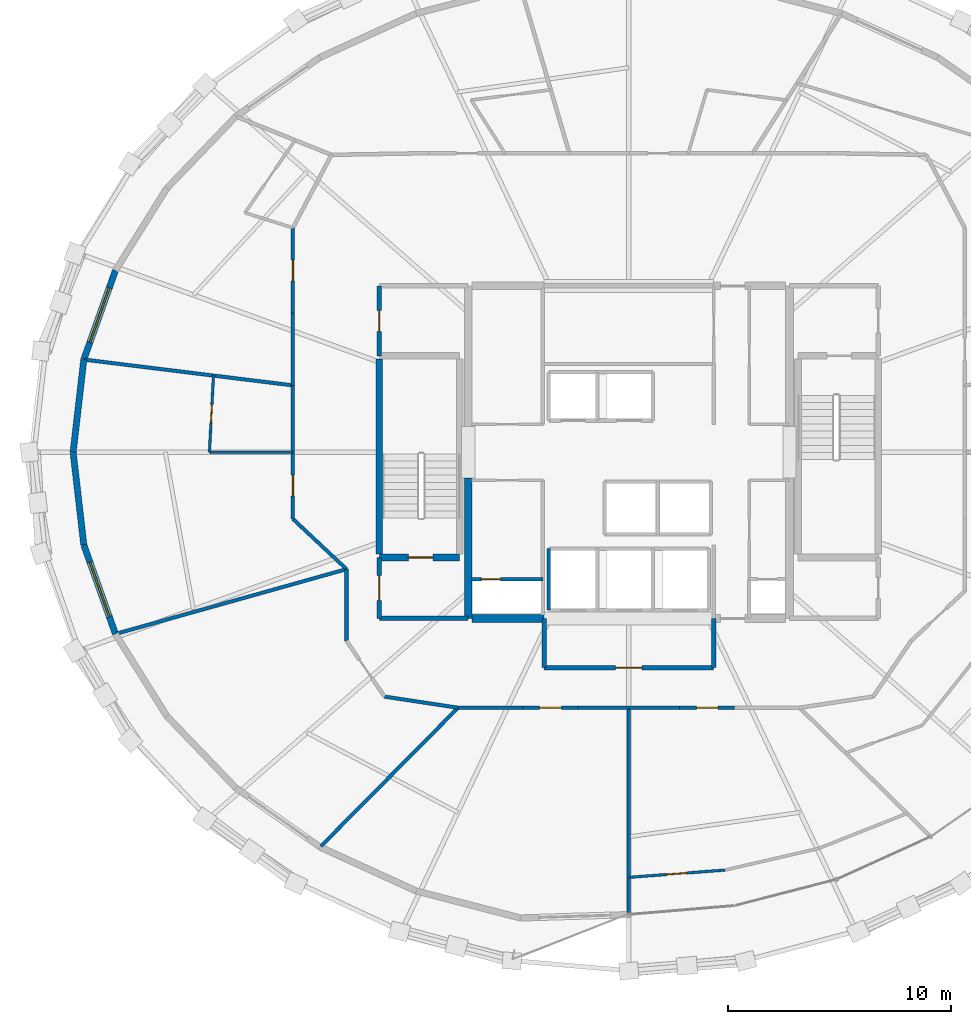
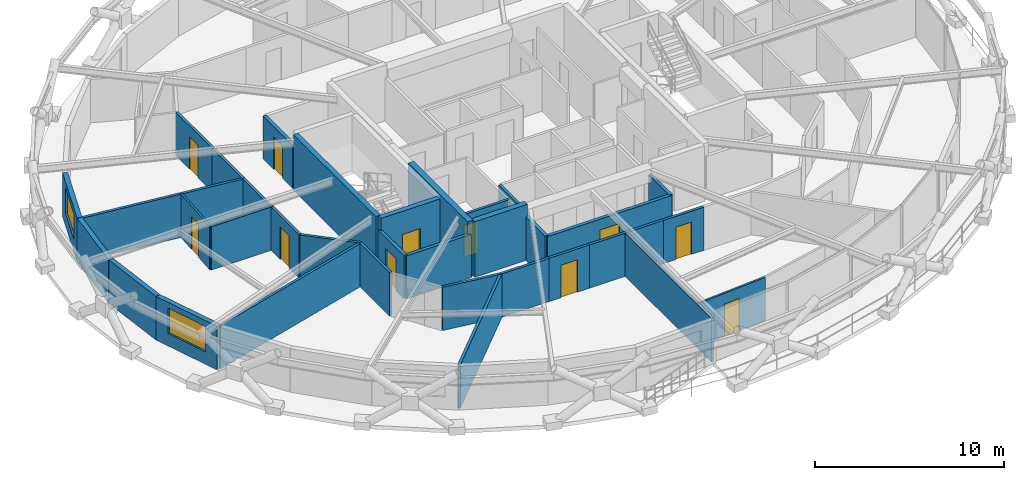
# One storey, part 12 of 16: 35 walls, 11 doors, 2 windows, 13 openings.
"""IFC4 building model written with IfcOpenShell, lengths in metres."""

from ifc_helpers import new_model, si_unit, direction, frame, frame_2d, origin, place, context, subcontext, project, spatial, rectangle, extrude, material, layer, layer_set, type_object, element, fill, save


model = new_model("IFC4")

# Units and contexts
model_context = context("Model", 3, precision=1e-05, world=origin(), true_north=direction((0.0, 1.0)))
body_context = subcontext(model_context, "Body", "Model", "MODEL_VIEW")
ifc_project = project(units=[si_unit("LENGTHUNIT", "METRE"), si_unit("AREAUNIT", "SQUARE_METRE"), si_unit("VOLUMEUNIT", "CUBIC_METRE"), si_unit("PLANEANGLEUNIT", "RADIAN"), si_unit("MASSUNIT", "GRAM", prefix="KILO")], contexts=[model_context])

# Site, building, storey
site_placement = place(None, origin())
site = spatial("IfcSite", under=ifc_project, at=site_placement, CompositionType="ELEMENT")
building_placement = place(site_placement, origin())
building = spatial("IfcBuilding", under=site, at=building_placement, Name="Veldorina Hangang Commons", CompositionType="ELEMENT")
storey_placement = place(building_placement, frame((0.0, 0.0, 192.800048828125)))
storey = spatial("IfcBuildingStorey", under=building, at=storey_placement, Name="L50", CompositionType="ELEMENT", Elevation=192.800048828125)

# Walls
ifc_material_1 = material(Name="Concrete C60/75", Category="concrete")
ifc_layer_1 = layer(ifc_material_1, 0.340087890625)
ifc_layer_set_1 = layer_set([ifc_layer_1], Name="Concrete C60/75")
wall_type_1 = type_object("IfcWallType", Name="CW-RC340-C60", PredefinedType="SHEAR", material=ifc_layer_set_1)
wall_1_placement = place(storey_placement, frame((24.800048828125, 16.550048828125, 0.0), z_axis=(0.0, 0.0, 1.0), x_axis=(0.0, 1.0, 0.0)))
element("IfcWall", 1, at=wall_1_placement, inside=storey, type_object=wall_type_1, Name="L50 W south core shear wall", PredefinedType="SHEAR", context=body_context, shape_type="SweptSolid", body=[
    extrude(rectangle(XDim=6.300048828125, YDim=0.340087890625, at=frame_2d((3.14990234375, 0.0))), origin(), (0.0, 0.0, 1.0), 3.599853515625),
])
wall_2_placement = place(storey_placement, frame((24.969970703125, 16.550048828125, 0.0), z_axis=(0.0, 0.0, 1.0), x_axis=(1.0, 0.0, 0.0)))
element("IfcWall", 2, at=wall_2_placement, inside=storey, type_object=wall_type_1, Name="L50 south-west core shear wall", PredefinedType="SHEAR", context=body_context, shape_type="SweptSolid", body=[
    extrude(rectangle(XDim=3.22998046875, YDim=0.340087890625, at=frame_2d((1.614990234375, 0.0))), origin(), (0.0, 0.0, 1.0), 3.599853515625),
])

# Wall, opening, window
ifc_material_2 = material(Name="Stone Roman Travertine", Category="masonry")
ifc_layer_2 = layer(ifc_material_2, 0.280029296875)
ifc_layer_set_2 = layer_set([ifc_layer_2], Name="Stone Roman Travertine")
wall_type_2 = type_object("IfcWallType", Name="EW-TRAV-280", PredefinedType="STANDARD", material=ifc_layer_set_2)
wall_3_placement = place(storey_placement, frame((8.995361328125, 32.143310546875, 0.0), z_axis=(0.0, 0.0, 1.0), x_axis=(-0.33451387388, -0.942390825604, 0.0)))
wall_3 = element("IfcWall", 3, at=wall_3_placement, inside=storey, type_object=wall_type_2, Name="L50 travertine facade wall 14", PredefinedType="STANDARD", context=body_context, shape_type="SweptSolid", body=[
    extrude(rectangle(XDim=4.236083984375, YDim=0.280029296875, at=frame_2d((2.1181640625, 0.0))), origin(), (0.0, 0.0, 1.0), 2.820068359375),
])
opening_1_placement = place(wall_3_placement, frame((0.818115234375, 0.0, 0.800048828125)))
opening_1 = element("IfcOpeningElement", 4, at=opening_1_placement, cuts=wall_3, Name="Opening W-02", PredefinedType="OPENING", context=body_context, shape_type="SweptSolid", body=[
    extrude(rectangle(XDim=2.60009765625, YDim=1.64990234375, at=frame_2d((1.300048828125, 0.824951171875))), frame((0.0, 0.14990234375, 0.0), z_axis=(0.0, -1.0, 0.0), x_axis=(1.0, 0.0, 0.0)), (0.0, 0.0, 1.0), 0.300048828125),
])
ifc_material_3 = material(Name="Glass Low-E Triple IGU", Category="glass")
window_type = type_object("IfcWindowType", Name="WIN-TWR-2600", PartitioningType="SINGLE_PANEL", PredefinedType="WINDOW", material=ifc_material_3)
window_1_placement = place(opening_1_placement, origin())
window_1 = element("IfcWindow", 5, at=window_1_placement, inside=storey, type_object=window_type, Name="L50 facade window 14", OverallHeight=1.64990234375, OverallWidth=2.60009765625, PartitioningType="SINGLE_PANEL", PredefinedType="WINDOW", context=body_context, shape_type="SweptSolid", body=[
    extrude(rectangle(XDim=2.60009765625, YDim=1.64990234375, at=frame_2d((1.300048828125, 0.824951171875))), frame((0.0, 0.030029296875, 0.0), z_axis=(0.0, -1.0, 0.0), x_axis=(1.0, 0.0, 0.0)), (0.0, 0.0, 1.0), 0.06005859375),
])
fill(opening_1, window_1)

# Walls
for number, where, z_axis, x_axis, name in (
    (6, (7.578369140625, 28.1513671875, 0.0), (0.0, 0.0, 1.0), (-0.114451139323, -0.993428878535, 0.0), "L50 travertine facade wall 15"),
    (7, (7.10009765625, 24.0, 0.0), (0.0, 0.0, 1.0), (0.114451139323, -0.993428878535, 0.0), "L50 travertine facade wall 16"),
):
    element("IfcWall", number, at=place(storey_placement, frame(where, z_axis=z_axis, x_axis=x_axis)), inside=storey, type_object=wall_type_2, Name=name, PredefinedType="STANDARD", context=body_context, shape_type="SweptSolid", body=[
        extrude(rectangle(XDim=4.1787109375, YDim=0.280029296875, at=frame_2d((2.08935546875, 0.0))), origin(), (0.0, 0.0, 1.0), 2.820068359375),
    ])

# Wall, opening, window
wall_4_placement = place(storey_placement, frame((7.578369140625, 19.8486328125, 0.0), z_axis=(0.0, 0.0, 1.0), x_axis=(0.33451387388, -0.942390825604, 0.0)))
wall_4 = element("IfcWall", 8, at=wall_4_placement, inside=storey, type_object=wall_type_2, Name="L50 travertine facade wall 17", PredefinedType="STANDARD", context=body_context, shape_type="SweptSolid", body=[
    extrude(rectangle(XDim=4.236083984375, YDim=0.280029296875, at=frame_2d((2.1181640625, 0.0))), origin(), (0.0, 0.0, 1.0), 2.820068359375),
])
opening_2_placement = place(wall_4_placement, frame((0.818115234375, 0.0, 0.800048828125)))
opening_2 = element("IfcOpeningElement", 9, at=opening_2_placement, cuts=wall_4, Name="Opening W-02", PredefinedType="OPENING", context=body_context, shape_type="SweptSolid", body=[
    extrude(rectangle(XDim=2.60009765625, YDim=1.64990234375, at=frame_2d((1.300048828125, 0.824951171875))), frame((0.0, 0.14990234375, 0.0), z_axis=(0.0, -1.0, 0.0), x_axis=(1.0, 0.0, 0.0)), (0.0, 0.0, 1.0), 0.300048828125),
])
window_2_placement = place(opening_2_placement, origin())
window_2 = element("IfcWindow", 10, at=window_2_placement, inside=storey, type_object=window_type, Name="L50 facade window 17", OverallHeight=1.64990234375, OverallWidth=2.60009765625, PartitioningType="SINGLE_PANEL", PredefinedType="WINDOW", context=body_context, shape_type="SweptSolid", body=[
    extrude(rectangle(XDim=2.60009765625, YDim=1.64990234375, at=frame_2d((1.300048828125, 0.824951171875))), frame((0.0, 0.030029296875, 0.0), z_axis=(0.0, -1.0, 0.0), x_axis=(1.0, 0.0, 0.0)), (0.0, 0.0, 1.0), 0.06005859375),
])
fill(opening_2, window_2)

# Wall
ifc_material_4 = material(Name="Concrete C50/60", Category="concrete")
ifc_layer_3 = layer(ifc_material_4, 0.300048828125)
ifc_layer_set_3 = layer_set([ifc_layer_3], Name="Concrete C50/60")
wall_type_3 = type_object("IfcWallType", Name="SW-STAIR-300", PredefinedType="SHEAR", material=ifc_layer_set_3)
wall_5_placement = place(storey_placement, frame((20.820068359375, 19.429931640625, 0.0), z_axis=(0.0, 0.0, 1.0), x_axis=(0.0, 1.0, 0.0)))
element("IfcWall", 11, at=wall_5_placement, inside=storey, type_object=wall_type_3, Name="L50 ST1 outer stair shear wall", PredefinedType="SHEAR", context=body_context, shape_type="SweptSolid", body=[
    extrude(rectangle(XDim=8.739990234375, YDim=0.300048828125, at=frame_2d((4.3701171875, 0.0))), origin(), (0.0, 0.0, 1.0), 3.599853515625),
])

# Wall, opening, door
wall_6_placement = place(storey_placement, frame((20.820068359375, 19.280029296875, 0.0), z_axis=(0.0, 0.0, 1.0), x_axis=(1.0, 0.0, 0.0)))
wall_6 = element("IfcWall", 12, at=wall_6_placement, inside=storey, type_object=wall_type_3, Name="L50 ST1 south stair shear wall", PredefinedType="SHEAR", context=body_context, shape_type="SweptSolid", body=[
    extrude(rectangle(XDim=3.599853515625, YDim=0.300048828125, at=frame_2d((1.7998046875, 0.0))), origin(), (0.0, 0.0, 1.0), 3.599853515625),
])
opening_3_placement = place(wall_6_placement, frame((1.300048828125, 0.0, 0.0)))
opening_3 = element("IfcOpeningElement", 13, at=opening_3_placement, cuts=wall_6, Name="Opening D-08", PredefinedType="OPENING", context=body_context, shape_type="SweptSolid", body=[
    extrude(rectangle(XDim=1.10009765625, YDim=2.10009765625, at=frame_2d((0.550048828125, 1.050048828125))), frame((0.0, 0.16015625, 0.0), z_axis=(0.0, -1.0, 0.0), x_axis=(1.0, 0.0, 0.0)), (0.0, 0.0, 1.0), 0.320068359375),
])
ifc_material_5 = material(Name="Steel Fire-Rated Smoke Seal", Category="steel")
door_type_1 = type_object("IfcDoorType", Name="DR-FIRE-1100", OperationType="SINGLE_SWING_RIGHT", PredefinedType="DOOR", material=ifc_material_5)
door_1_placement = place(opening_3_placement, origin())
door_1 = element("IfcDoor", 14, at=door_1_placement, inside=storey, type_object=door_type_1, Name="L50 Special Escape Stair ST-1 door", OperationType="SINGLE_SWING_LEFT", OverallHeight=2.10009765625, OverallWidth=1.10009765625, PredefinedType="DOOR", context=body_context, shape_type="SweptSolid", body=[
    extrude(rectangle(XDim=1.10009765625, YDim=2.10009765625, at=frame_2d((0.550048828125, 1.050048828125))), frame((0.0, 0.02490234375, 0.0), z_axis=(0.0, -1.0, 0.0), x_axis=(1.0, 0.0, 0.0)), (0.0, 0.0, 1.0), 0.050048828125),
])
fill(opening_3, door_1)

# Wall
ifc_material_6 = material(Name="Gypsum Fire-Rated Twin Stud Wall", Category="gypsum")
ifc_layer_4 = layer(ifc_material_6, 0.159912109375)
ifc_layer_set_4 = layer_set([ifc_layer_4], Name="Gypsum Fire-Rated Twin Stud Wall")
wall_type_4 = type_object("IfcWallType", Name="WL-FIRE-160", PredefinedType="SOLIDWALL", material=ifc_layer_set_4)
wall_7_placement = place(storey_placement, frame((28.419921875, 16.919921875, 0.0), z_axis=(0.0, 0.0, 1.0), x_axis=(0.0, 1.0, 0.0)))
element("IfcWall", 15, at=wall_7_placement, inside=storey, type_object=wall_type_4, Name="L50 FFL-1 west shaft wall 027", PredefinedType="SOLIDWALL", context=body_context, shape_type="SweptSolid", body=[
    extrude(rectangle(XDim=2.760009765625, YDim=0.159912109375, at=frame_2d((1.3798828125, 0.0))), origin(), (0.0, 0.0, 1.0), 2.800048828125),
])

# Wall, opening, door
wall_8_placement = place(storey_placement, frame((24.949951171875, 18.300048828125, 0.0), z_axis=(0.0, 0.0, 1.0), x_axis=(1.0, 0.0, 0.0)))
wall_8 = element("IfcWall", 16, at=wall_8_placement, inside=storey, type_object=wall_type_4, Name="L50 Electrical riser wall 034", PredefinedType="SOLIDWALL", context=body_context, shape_type="SweptSolid", body=[
    extrude(rectangle(XDim=3.199951171875, YDim=0.159912109375, at=frame_2d((1.60009765625, 0.0))), origin(), (0.0, 0.0, 1.0), 2.800048828125),
])
opening_4_placement = place(wall_8_placement, frame((0.43994140625, 0.0, 0.0)))
opening_4 = element("IfcOpeningElement", 17, at=opening_4_placement, cuts=wall_8, Name="Opening D-12", PredefinedType="OPENING", context=body_context, shape_type="SweptSolid", body=[
    extrude(rectangle(XDim=0.860107421875, YDim=2.050048828125, at=frame_2d((0.43017578125, 1.02490234375))), frame((0.0, 0.08984375, 0.0), z_axis=(0.0, -1.0, 0.0), x_axis=(1.0, 0.0, 0.0)), (0.0, 0.0, 1.0), 0.179931640625),
])
ifc_material_7 = material(Name="Steel Insulated Riser Access", Category="steel")
door_type_2 = type_object("IfcDoorType", Name="DR-TRAP-860", OperationType="SINGLE_SWING_LEFT", PredefinedType="TRAPDOOR", material=ifc_material_7)
door_2_placement = place(opening_4_placement, origin())
door_2 = element("IfcDoor", 18, at=door_2_placement, inside=storey, type_object=door_type_2, Name="L50 Electrical riser access door 012", OperationType="SINGLE_SWING_RIGHT", OverallHeight=2.050048828125, OverallWidth=0.860107421875, PredefinedType="TRAPDOOR", context=body_context, shape_type="SweptSolid", body=[
    extrude(rectangle(XDim=0.860107421875, YDim=2.050048828125, at=frame_2d((0.43017578125, 1.02490234375))), frame((0.0, 0.02490234375, 0.0), z_axis=(0.0, -1.0, 0.0), x_axis=(1.0, 0.0, 0.0)), (0.0, 0.0, 1.0), 0.050048828125),
])
fill(opening_4, door_2)

wall_9_placement = place(storey_placement, frame((16.949951171875, 34.05615234375, 0.0), z_axis=(0.0, 0.0, 1.0), x_axis=(0.0, -1.0, 0.0)))
wall_9 = element("IfcWall", 19, at=wall_9_placement, inside=storey, type_object=wall_type_4, Name="L50 U-corridor outer wall 13 057", PredefinedType="SOLIDWALL", context=body_context, shape_type="SweptSolid", body=[
    extrude(rectangle(XDim=3.822265625, YDim=0.159912109375, at=frame_2d((1.9111328125, 0.0))), origin(), (0.0, 0.0, 1.0), 2.800048828125),
])
opening_5_placement = place(wall_9_placement, frame((1.43603515625, 0.0, 0.0)))
opening_5 = element("IfcOpeningElement", 20, at=opening_5_placement, cuts=wall_9, Name="Opening D-03", PredefinedType="OPENING", context=body_context, shape_type="SweptSolid", body=[
    extrude(rectangle(XDim=0.949951171875, YDim=2.10009765625, at=frame_2d((0.47509765625, 1.050048828125))), frame((0.0, 0.08984375, 0.0), z_axis=(0.0, -1.0, 0.0), x_axis=(1.0, 0.0, 0.0)), (0.0, 0.0, 1.0), 0.179931640625),
])
ifc_material_8 = material(Name="Timber Fire-Rated Entrance Core", Category="wood")
door_type_3 = type_object("IfcDoorType", Name="DR-UNIT-950", OperationType="SINGLE_SWING_RIGHT", PredefinedType="DOOR", material=ifc_material_8)
door_3_placement = place(opening_5_placement, origin())
door_3 = element("IfcDoor", 21, at=door_3_placement, inside=storey, type_object=door_type_3, Name="L50 Studio 5 entrance door 030", OperationType="SINGLE_SWING_RIGHT", OverallHeight=2.10009765625, OverallWidth=0.949951171875, PredefinedType="DOOR", context=body_context, shape_type="SweptSolid", body=[
    extrude(rectangle(XDim=0.949951171875, YDim=2.10009765625, at=frame_2d((0.47509765625, 1.050048828125))), frame((0.0, 0.02490234375, 0.0), z_axis=(0.0, -1.0, 0.0), x_axis=(1.0, 0.0, 0.0)), (0.0, 0.0, 1.0), 0.050048828125),
])
fill(opening_5, door_3)

# Walls
wall_10_placement = place(storey_placement, frame((16.949951171875, 30.23388671875, 0.0), z_axis=(0.0, 0.0, 1.0), x_axis=(0.0, -1.0, 0.0)))
element("IfcWall", 22, at=wall_10_placement, inside=storey, type_object=wall_type_4, Name="L50 U-corridor outer wall 14 058", PredefinedType="SOLIDWALL", context=body_context, shape_type="SweptSolid", body=[
    extrude(rectangle(XDim=3.240234375, YDim=0.159912109375, at=frame_2d((1.6201171875, 0.0))), origin(), (0.0, 0.0, 1.0), 2.800048828125),
])
wall_11_placement = place(storey_placement, frame((16.949951171875, 26.99365234375, 0.0), z_axis=(0.0, 0.0, 1.0), x_axis=(0.0, -1.0, 0.0)))
element("IfcWall", 23, at=wall_11_placement, inside=storey, type_object=wall_type_4, Name="L50 U-corridor outer wall 15 059", PredefinedType="SOLIDWALL", context=body_context, shape_type="SweptSolid", body=[
    extrude(rectangle(XDim=2.99365234375, YDim=0.159912109375, at=frame_2d((1.496826171875, 0.0))), origin(), (0.0, 0.0, 1.0), 2.800048828125),
])

# Wall, opening, door
wall_12_placement = place(storey_placement, frame((16.949951171875, 24.0, 0.0), z_axis=(0.0, 0.0, 1.0), x_axis=(0.0, -1.0, 0.0)))
wall_12 = element("IfcWall", 24, at=wall_12_placement, inside=storey, type_object=wall_type_4, Name="L50 U-corridor outer wall 16 060", PredefinedType="SOLIDWALL", context=body_context, shape_type="SweptSolid", body=[
    extrude(rectangle(XDim=2.99365234375, YDim=0.159912109375, at=frame_2d((1.496826171875, 0.0))), origin(), (0.0, 0.0, 1.0), 2.800048828125),
])
opening_6_placement = place(wall_12_placement, frame((1.021728515625, 0.0, 0.0)))
opening_6 = element("IfcOpeningElement", 25, at=opening_6_placement, cuts=wall_12, Name="Opening D-03", PredefinedType="OPENING", context=body_context, shape_type="SweptSolid", body=[
    extrude(rectangle(XDim=0.949951171875, YDim=2.10009765625, at=frame_2d((0.47509765625, 1.050048828125))), frame((0.0, 0.08984375, 0.0), z_axis=(0.0, -1.0, 0.0), x_axis=(1.0, 0.0, 0.0)), (0.0, 0.0, 1.0), 0.179931640625),
])
door_4_placement = place(opening_6_placement, origin())
door_4 = element("IfcDoor", 26, at=door_4_placement, inside=storey, type_object=door_type_3, Name="L50 Studio 6 entrance door 032", OperationType="SINGLE_SWING_RIGHT", OverallHeight=2.10009765625, OverallWidth=0.949951171875, PredefinedType="DOOR", context=body_context, shape_type="SweptSolid", body=[
    extrude(rectangle(XDim=0.949951171875, YDim=2.10009765625, at=frame_2d((0.47509765625, 1.050048828125))), frame((0.0, 0.02490234375, 0.0), z_axis=(0.0, -1.0, 0.0), x_axis=(1.0, 0.0, 0.0)), (0.0, 0.0, 1.0), 0.050048828125),
])
fill(opening_6, door_4)

# Walls
wall_13_placement = place(storey_placement, frame((16.949951171875, 21.00634765625, 0.0), z_axis=(0.0, 0.0, 1.0), x_axis=(0.730150682073, -0.683286163674, 0.0)))
element("IfcWall", 27, at=wall_13_placement, inside=storey, type_object=wall_type_4, Name="L50 U-corridor outer wall 17 061", PredefinedType="SOLIDWALL", context=body_context, shape_type="SweptSolid", body=[
    extrude(rectangle(XDim=3.287109375, YDim=0.159912109375, at=frame_2d((1.6435546875, 0.0))), origin(), (0.0, 0.0, 1.0), 2.800048828125),
])
wall_14_placement = place(storey_placement, frame((19.35009765625, 18.76025390625, 0.0), z_axis=(0.0, 0.0, 1.0), x_axis=(0.0, -1.0, 0.0)))
element("IfcWall", 28, at=wall_14_placement, inside=storey, type_object=wall_type_4, Name="L50 U-corridor outer wall 18 062", PredefinedType="SOLIDWALL", context=body_context, shape_type="SweptSolid", body=[
    extrude(rectangle(XDim=3.212646484375, YDim=0.159912109375, at=frame_2d((1.6064453125, 0.0))), origin(), (0.0, 0.0, 1.0), 2.800048828125),
])
wall_15_placement = place(storey_placement, frame((21.050048828125, 13.050048828125, 0.0), z_axis=(0.0, 0.0, 1.0), x_axis=(0.988710906508, -0.149835721217, 0.0)))
element("IfcWall", 29, at=wall_15_placement, inside=storey, type_object=wall_type_4, Name="L50 U-corridor outer wall 20 064", PredefinedType="SOLIDWALL", context=body_context, shape_type="SweptSolid", body=[
    extrude(rectangle(XDim=3.3369140625, YDim=0.159912109375, at=frame_2d((1.66845703125, 0.0))), origin(), (0.0, 0.0, 1.0), 2.800048828125),
])
wall_16_placement = place(storey_placement, frame((24.349365234375, 12.550048828125, 0.0), z_axis=(0.0, 0.0, 1.0), x_axis=(1.0, 0.0, 0.0)))
element("IfcWall", 30, at=wall_16_placement, inside=storey, type_object=wall_type_4, Name="L50 U-corridor outer wall 21 065", PredefinedType="SOLIDWALL", context=body_context, shape_type="SweptSolid", body=[
    extrude(rectangle(XDim=2.907958984375, YDim=0.159912109375, at=frame_2d((1.4541015625, 0.0))), origin(), (0.0, 0.0, 1.0), 2.800048828125),
])

# Wall, opening, door
wall_17_placement = place(storey_placement, frame((27.25732421875, 12.550048828125, 0.0), z_axis=(0.0, 0.0, 1.0), x_axis=(1.0, 0.0, 0.0)))
wall_17 = element("IfcWall", 31, at=wall_17_placement, inside=storey, type_object=wall_type_4, Name="L50 U-corridor outer wall 22 066", PredefinedType="SOLIDWALL", context=body_context, shape_type="SweptSolid", body=[
    extrude(rectangle(XDim=2.465087890625, YDim=0.159912109375, at=frame_2d((1.232421875, 0.0))), origin(), (0.0, 0.0, 1.0), 2.800048828125),
])
opening_7_placement = place(wall_17_placement, frame((0.732666015625, 0.0, 0.0)))
opening_7 = element("IfcOpeningElement", 32, at=opening_7_placement, cuts=wall_17, Name="Opening D-05", PredefinedType="OPENING", context=body_context, shape_type="SweptSolid", body=[
    extrude(rectangle(XDim=1.0, YDim=2.10009765625, at=frame_2d((0.5, 1.050048828125))), frame((0.0, 0.08984375, 0.0), z_axis=(0.0, -1.0, 0.0), x_axis=(1.0, 0.0, 0.0)), (0.0, 0.0, 1.0), 0.179931640625),
])
ifc_material_9 = material(Name="Timber Solid Core Acoustic", Category="wood")
door_type_4 = type_object("IfcDoorType", Name="DR-INT-1000", OperationType="SINGLE_SWING_RIGHT", PredefinedType="DOOR", material=ifc_material_9)
door_5_placement = place(opening_7_placement, origin())
door_5 = element("IfcDoor", 33, at=door_5_placement, inside=storey, type_object=door_type_4, Name="L50 Floor Study Room 8 door 034", OperationType="SINGLE_SWING_RIGHT", OverallHeight=2.10009765625, OverallWidth=1.0, PredefinedType="DOOR", context=body_context, shape_type="SweptSolid", body=[
    extrude(rectangle(XDim=1.0, YDim=2.10009765625, at=frame_2d((0.5, 1.050048828125))), frame((0.0, 0.02490234375, 0.0), z_axis=(0.0, -1.0, 0.0), x_axis=(1.0, 0.0, 0.0)), (0.0, 0.0, 1.0), 0.050048828125),
])
fill(opening_7, door_5)

# Walls
for number, where, z_axis, x_axis, name in (
    (34, (29.722412109375, 12.550048828125, 0.0), (0.0, 0.0, 1.0), (1.0, 0.0, 0.0), "L50 U-corridor outer wall 23 067"),
    (35, (32.0, 12.550048828125, 0.0), (0.0, 0.0, 1.0), (1.0, 0.0, 0.0), "L50 U-corridor outer wall 24 068"),
):
    element("IfcWall", number, at=place(storey_placement, frame(where, z_axis=z_axis, x_axis=x_axis)), inside=storey, type_object=wall_type_4, Name=name, PredefinedType="SOLIDWALL", context=body_context, shape_type="SweptSolid", body=[
        extrude(rectangle(XDim=2.277587890625, YDim=0.159912109375, at=frame_2d((1.138671875, 0.0))), origin(), (0.0, 0.0, 1.0), 2.800048828125),
    ])

# Wall, opening, door
wall_18_placement = place(storey_placement, frame((34.277587890625, 12.550048828125, 0.0), z_axis=(0.0, 0.0, 1.0), x_axis=(1.0, 0.0, 0.0)))
wall_18 = element("IfcWall", 36, at=wall_18_placement, inside=storey, type_object=wall_type_4, Name="L50 U-corridor outer wall 25 069", PredefinedType="SOLIDWALL", context=body_context, shape_type="SweptSolid", body=[
    extrude(rectangle(XDim=2.465087890625, YDim=0.159912109375, at=frame_2d((1.232421875, 0.0))), origin(), (0.0, 0.0, 1.0), 2.800048828125),
])
opening_8_placement = place(wall_18_placement, frame((0.757568359375, 0.0, 0.0)))
opening_8 = element("IfcOpeningElement", 37, at=opening_8_placement, cuts=wall_18, Name="Opening D-02", PredefinedType="OPENING", context=body_context, shape_type="SweptSolid", body=[
    extrude(rectangle(XDim=0.949951171875, YDim=2.10009765625, at=frame_2d((0.47509765625, 1.050048828125))), frame((0.0, 0.08984375, 0.0), z_axis=(0.0, -1.0, 0.0), x_axis=(1.0, 0.0, 0.0)), (0.0, 0.0, 1.0), 0.179931640625),
])
door_type_5 = type_object("IfcDoorType", Name="DR-INT-950", OperationType="SINGLE_SWING_LEFT", PredefinedType="DOOR", material=ifc_material_9)
door_6_placement = place(opening_8_placement, origin())
door_6 = element("IfcDoor", 38, at=door_6_placement, inside=storey, type_object=door_type_5, Name="L50 Linen drying store door 035", OperationType="SINGLE_SWING_LEFT", OverallHeight=2.10009765625, OverallWidth=0.949951171875, PredefinedType="DOOR", context=body_context, shape_type="SweptSolid", body=[
    extrude(rectangle(XDim=0.949951171875, YDim=2.10009765625, at=frame_2d((0.47509765625, 1.050048828125))), frame((0.0, 0.02490234375, 0.0), z_axis=(0.0, -1.0, 0.0), x_axis=(1.0, 0.0, 0.0)), (0.0, 0.0, 1.0), 0.050048828125),
])
fill(opening_8, door_6)

# Walls
wall_19_placement = place(storey_placement, frame((16.949951171875, 26.99365234375, 0.0), z_axis=(0.0, 0.0, 1.0), x_axis=(-0.992455591893, 0.122604641515, 0.0)))
element("IfcWall", 39, at=wall_19_placement, inside=storey, type_object=wall_type_4, Name="L50 Unit party wall 15 099", PredefinedType="SOLIDWALL", context=body_context, shape_type="SweptSolid", body=[
    extrude(rectangle(XDim=9.392822265625, YDim=0.159912109375, at=frame_2d((4.6962890625, 0.0))), origin(), (0.0, 0.0, 1.0), 2.800048828125),
])
wall_20_placement = place(storey_placement, frame((19.35009765625, 18.76025390625, 0.0), z_axis=(0.0, 0.0, 1.0), x_axis=(-0.962860195961, -0.270000450061, 0.0)))
element("IfcWall", 40, at=wall_20_placement, inside=storey, type_object=wall_type_4, Name="L50 Unit party wall 18 102", PredefinedType="SOLIDWALL", context=body_context, shape_type="SweptSolid", body=[
    extrude(rectangle(XDim=10.7041015625, YDim=0.159912109375, at=frame_2d((5.35205078125, 0.0))), origin(), (0.0, 0.0, 1.0), 2.800048828125),
])
wall_21_placement = place(storey_placement, frame((24.349365234375, 12.550048828125, 0.0), z_axis=(0.0, 0.0, 1.0), x_axis=(-0.703675406186, -0.710521584985, 0.0)))
element("IfcWall", 41, at=wall_21_placement, inside=storey, type_object=wall_type_4, Name="L50 Unit party wall 21 103", PredefinedType="SOLIDWALL", context=body_context, shape_type="SweptSolid", body=[
    extrude(rectangle(XDim=8.73681640625, YDim=0.159912109375, at=frame_2d((4.368408203125, 0.0))), origin(), (0.0, 0.0, 1.0), 2.800048828125),
])
wall_22_placement = place(storey_placement, frame((32.0, 12.550048828125, 0.0), z_axis=(0.0, 0.0, 1.0), x_axis=(0.0, -1.0, 0.0)))
element("IfcWall", 42, at=wall_22_placement, inside=storey, type_object=wall_type_4, Name="L50 Unit party wall 24 104", PredefinedType="SOLIDWALL", context=body_context, shape_type="SweptSolid", body=[
    extrude(rectangle(XDim=9.219482421875, YDim=0.159912109375, at=frame_2d((4.60986328125, 0.0))), origin(), (0.0, 0.0, 1.0), 2.800048828125),
])

# Wall, opening, door
ifc_material_10 = material(Name="Concrete Blockwork Fire Wall C30/37", Category="masonry")
ifc_layer_5 = layer(ifc_material_10, 0.199951171875)
ifc_layer_set_5 = layer_set([ifc_layer_5], Name="Concrete Blockwork Fire Wall C30/37")
wall_type_5 = type_object("IfcWallType", Name="WL-FIRE-200", PredefinedType="SOLIDWALL", material=ifc_layer_set_5)
wall_23_placement = place(storey_placement, frame((20.820068359375, 16.550048828125, 0.0), z_axis=(0.0, 0.0, 1.0), x_axis=(0.0, 1.0, 0.0)))
wall_23 = element("IfcWall", 43, at=wall_23_placement, inside=storey, type_object=wall_type_5, Name="L50 West vestibule outer wall 001", PredefinedType="SOLIDWALL", context=body_context, shape_type="SweptSolid", body=[
    extrude(rectangle(XDim=2.72998046875, YDim=0.199951171875, at=frame_2d((1.364990234375, 0.0))), origin(), (0.0, 0.0, 1.0), 2.800048828125),
])
opening_9_placement = place(wall_23_placement, frame((0.81494140625, 0.0, 0.0)))
opening_9 = element("IfcOpeningElement", 44, at=opening_9_placement, cuts=wall_23, Name="Opening D-08", PredefinedType="OPENING", context=body_context, shape_type="SweptSolid", body=[
    extrude(rectangle(XDim=1.10009765625, YDim=2.10009765625, at=frame_2d((0.550048828125, 1.050048828125))), frame((0.0, 0.10986328125, 0.0), z_axis=(0.0, -1.0, 0.0), x_axis=(1.0, 0.0, 0.0)), (0.0, 0.0, 1.0), 0.219970703125),
])
door_7_placement = place(opening_9_placement, origin())
door_7 = element("IfcDoor", 45, at=door_7_placement, inside=storey, type_object=door_type_1, Name="L50 West vestibule west door 001", OperationType="SINGLE_SWING_LEFT", OverallHeight=2.10009765625, OverallWidth=1.10009765625, PredefinedType="DOOR", context=body_context, shape_type="SweptSolid", body=[
    extrude(rectangle(XDim=1.10009765625, YDim=2.10009765625, at=frame_2d((0.550048828125, 1.050048828125))), frame((0.0, 0.02490234375, 0.0), z_axis=(0.0, -1.0, 0.0), x_axis=(1.0, 0.0, 0.0)), (0.0, 0.0, 1.0), 0.050048828125),
])
fill(opening_9, door_7)

# Wall
wall_24_placement = place(storey_placement, frame((20.820068359375, 16.550048828125, 0.0), z_axis=(0.0, 0.0, 1.0), x_axis=(1.0, 0.0, 0.0)))
element("IfcWall", 46, at=wall_24_placement, inside=storey, type_object=wall_type_5, Name="L50 West vestibule south wall 002", PredefinedType="SOLIDWALL", context=body_context, shape_type="SweptSolid", body=[
    extrude(rectangle(XDim=3.97998046875, YDim=0.199951171875, at=frame_2d((1.989990234375, 0.0))), origin(), (0.0, 0.0, 1.0), 2.800048828125),
])

# Wall, opening, door
wall_25_placement = place(storey_placement, frame((20.820068359375, 28.320068359375, 0.0), z_axis=(0.0, 0.0, 1.0), x_axis=(0.0, 1.0, 0.0)))
wall_25 = element("IfcWall", 47, at=wall_25_placement, inside=storey, type_object=wall_type_5, Name="L50 NW core room outer wall 005", PredefinedType="SOLIDWALL", context=body_context, shape_type="SweptSolid", body=[
    extrude(rectangle(XDim=3.1298828125, YDim=0.199951171875, at=frame_2d((1.56494140625, 0.0))), origin(), (0.0, 0.0, 1.0), 2.800048828125),
])
opening_10_placement = place(wall_25_placement, frame((1.090087890625, 0.0, 0.0)))
opening_10 = element("IfcOpeningElement", 48, at=opening_10_placement, cuts=wall_25, Name="Opening D-04", PredefinedType="OPENING", context=body_context, shape_type="SweptSolid", body=[
    extrude(rectangle(XDim=0.949951171875, YDim=2.10009765625, at=frame_2d((0.47509765625, 1.050048828125))), frame((0.0, 0.10986328125, 0.0), z_axis=(0.0, -1.0, 0.0), x_axis=(1.0, 0.0, 0.0)), (0.0, 0.0, 1.0), 0.219970703125),
])
ifc_material_11 = material(Name="Timber Accessible Flush Leaf", Category="wood")
door_type_6 = type_object("IfcDoorType", Name="DR-ACC-950", OperationType="SINGLE_SWING_LEFT", PredefinedType="DOOR", material=ifc_material_11)
door_8_placement = place(opening_10_placement, origin())
door_8 = element("IfcDoor", 49, at=door_8_placement, inside=storey, type_object=door_type_6, Name="L50 NW core WC door 003", OperationType="SINGLE_SWING_LEFT", OverallHeight=2.10009765625, OverallWidth=0.949951171875, PredefinedType="DOOR", context=body_context, shape_type="SweptSolid", body=[
    extrude(rectangle(XDim=0.949951171875, YDim=2.10009765625, at=frame_2d((0.47509765625, 1.050048828125))), frame((0.0, 0.02490234375, 0.0), z_axis=(0.0, -1.0, 0.0), x_axis=(1.0, 0.0, 0.0)), (0.0, 0.0, 1.0), 0.050048828125),
])
fill(opening_10, door_8)

# Walls
for number, where, z_axis, x_axis, name in (
    (50, (28.199951171875, 14.35009765625, 0.0), (0.0, 0.0, 1.0), (0.0, 1.0, 0.0), "L50 FF lobby west wall 012"),
    (51, (35.800048828125, 14.35009765625, 0.0), (0.0, 0.0, 1.0), (0.0, 1.0, 0.0), "L50 FF lobby east wall 013"),
):
    element("IfcWall", number, at=place(storey_placement, frame(where, z_axis=z_axis, x_axis=x_axis)), inside=storey, type_object=wall_type_5, Name=name, PredefinedType="SOLIDWALL", context=body_context, shape_type="SweptSolid", body=[
        extrude(rectangle(XDim=2.199951171875, YDim=0.199951171875, at=frame_2d((1.10009765625, 0.0))), origin(), (0.0, 0.0, 1.0), 2.800048828125),
    ])

# Wall, opening, door
wall_26_placement = place(storey_placement, frame((28.199951171875, 14.35009765625, 0.0), z_axis=(0.0, 0.0, 1.0), x_axis=(1.0, 0.0, 0.0)))
wall_26 = element("IfcWall", 52, at=wall_26_placement, inside=storey, type_object=wall_type_5, Name="L50 FF lobby south wall 014", PredefinedType="SOLIDWALL", context=body_context, shape_type="SweptSolid", body=[
    extrude(rectangle(XDim=7.60009765625, YDim=0.199951171875, at=frame_2d((3.800048828125, 0.0))), origin(), (0.0, 0.0, 1.0), 2.800048828125),
])
opening_11_placement = place(wall_26_placement, frame((3.199951171875, 0.0, 0.0)))
opening_11 = element("IfcOpeningElement", 53, at=opening_11_placement, cuts=wall_26, Name="Opening D-09", PredefinedType="OPENING", context=body_context, shape_type="SweptSolid", body=[
    extrude(rectangle(XDim=1.199951171875, YDim=2.10009765625, at=frame_2d((0.60009765625, 1.050048828125))), frame((0.0, 0.10986328125, 0.0), z_axis=(0.0, -1.0, 0.0), x_axis=(1.0, 0.0, 0.0)), (0.0, 0.0, 1.0), 0.219970703125),
])
ifc_material_12 = material(Name="Steel Fire-Rated Corridor Door", Category="steel")
door_type_7 = type_object("IfcDoorType", Name="DR-FIRE-1200", OperationType="SINGLE_SWING_LEFT", PredefinedType="DOOR", material=ifc_material_12)
door_9_placement = place(opening_11_placement, origin())
door_9 = element("IfcDoor", 54, at=door_9_placement, inside=storey, type_object=door_type_7, Name="L50 FF lobby south corridor door 005", OperationType="SINGLE_SWING_LEFT", OverallHeight=2.10009765625, OverallWidth=1.199951171875, PredefinedType="DOOR", context=body_context, shape_type="SweptSolid", body=[
    extrude(rectangle(XDim=1.199951171875, YDim=2.10009765625, at=frame_2d((0.60009765625, 1.050048828125))), frame((0.0, 0.02490234375, 0.0), z_axis=(0.0, -1.0, 0.0), x_axis=(1.0, 0.0, 0.0)), (0.0, 0.0, 1.0), 0.050048828125),
])
fill(opening_11, door_9)

ifc_material_13 = material(Name="Gypsum Acoustic Stud Partition", Category="gypsum")
ifc_layer_6 = layer(ifc_material_13, 0.1201171875)
ifc_layer_set_6 = layer_set([ifc_layer_6], Name="Gypsum Acoustic Stud Partition")
wall_type_6 = type_object("IfcWallType", Name="WL-PART-120", PredefinedType="PARTITIONING", material=ifc_layer_set_6)
wall_27_placement = place(storey_placement, frame((13.388916015625, 27.43359375, 0.0), z_axis=(0.0, 0.0, 1.0), x_axis=(-0.052897962343, -0.998599922682, 0.0)))
wall_27 = element("IfcWall", 55, at=wall_27_placement, inside=storey, type_object=wall_type_6, Name="L50 Studio 6 bath front wall 100", PredefinedType="PARTITIONING", context=body_context, shape_type="SweptSolid", body=[
    extrude(rectangle(XDim=3.4384765625, YDim=0.1201171875, at=frame_2d((1.71923828125, 0.0))), origin(), (0.0, 0.0, 1.0), 2.800048828125),
])
opening_12_placement = place(wall_27_placement, frame((1.289306640625, 0.0, 0.0)))
opening_12 = element("IfcOpeningElement", 56, at=opening_12_placement, cuts=wall_27, Name="Opening D-01", PredefinedType="OPENING", context=body_context, shape_type="SweptSolid", body=[
    extrude(rectangle(XDim=0.860107421875, YDim=2.10009765625, at=frame_2d((0.43017578125, 1.050048828125))), frame((0.0, 0.070068359375, 0.0), z_axis=(0.0, -1.0, 0.0), x_axis=(1.0, 0.0, 0.0)), (0.0, 0.0, 1.0), 0.14013671875),
])
ifc_material_14 = material(Name="Timber Moisture-Resistant Core", Category="wood")
door_type_8 = type_object("IfcDoorType", Name="DR-WET-860", OperationType="SINGLE_SWING_LEFT", PredefinedType="DOOR", material=ifc_material_14)
door_10_placement = place(opening_12_placement, origin())
door_10 = element("IfcDoor", 57, at=door_10_placement, inside=storey, type_object=door_type_8, Name="L50 Studio 6 bathroom door 031", OperationType="SINGLE_SWING_LEFT", OverallHeight=2.10009765625, OverallWidth=0.860107421875, PredefinedType="DOOR", context=body_context, shape_type="SweptSolid", body=[
    extrude(rectangle(XDim=0.860107421875, YDim=2.10009765625, at=frame_2d((0.43017578125, 1.050048828125))), frame((0.0, 0.02490234375, 0.0), z_axis=(0.0, -1.0, 0.0), x_axis=(1.0, 0.0, 0.0)), (0.0, 0.0, 1.0), 0.050048828125),
])
fill(opening_12, door_10)

# Wall
wall_28_placement = place(storey_placement, frame((16.949951171875, 24.0, 0.0), z_axis=(0.0, 0.0, 1.0), x_axis=(-1.0, 0.0, 0.0)))
element("IfcWall", 58, at=wall_28_placement, inside=storey, type_object=wall_type_6, Name="L50 Studio 6 bath side wall 101", PredefinedType="PARTITIONING", context=body_context, shape_type="SweptSolid", body=[
    extrude(rectangle(XDim=3.742919921875, YDim=0.1201171875, at=frame_2d((1.87158203125, 0.0))), origin(), (0.0, 0.0, 1.0), 2.800048828125),
])

# Wall, opening, door
wall_29_placement = place(storey_placement, frame((32.0, 4.94921875, 0.0), z_axis=(0.0, 0.0, 1.0), x_axis=(0.997140363468, 0.075571790651, 0.0)))
wall_29 = element("IfcWall", 59, at=wall_29_placement, inside=storey, type_object=wall_type_6, Name="L50 Laundry split 0 105", PredefinedType="PARTITIONING", context=body_context, shape_type="SweptSolid", body=[
    extrude(rectangle(XDim=4.316162109375, YDim=0.1201171875, at=frame_2d((2.158203125, 0.0))), origin(), (0.0, 0.0, 1.0), 2.800048828125),
])
opening_13_placement = place(wall_29_placement, frame((1.68310546875, 0.0, 0.0)))
opening_13 = element("IfcOpeningElement", 60, at=opening_13_placement, cuts=wall_29, Name="Opening D-02", PredefinedType="OPENING", context=body_context, shape_type="SweptSolid", body=[
    extrude(rectangle(XDim=0.949951171875, YDim=2.10009765625, at=frame_2d((0.47509765625, 1.050048828125))), frame((0.0, 0.070068359375, 0.0), z_axis=(0.0, -1.0, 0.0), x_axis=(1.0, 0.0, 0.0)), (0.0, 0.0, 1.0), 0.14013671875),
])
door_11_placement = place(opening_13_placement, origin())
door_11 = element("IfcDoor", 61, at=door_11_placement, inside=storey, type_object=door_type_5, Name="L50 Resident laundry inner door 036", OperationType="SINGLE_SWING_RIGHT", OverallHeight=2.10009765625, OverallWidth=0.949951171875, PredefinedType="DOOR", context=body_context, shape_type="SweptSolid", body=[
    extrude(rectangle(XDim=0.949951171875, YDim=2.10009765625, at=frame_2d((0.47509765625, 1.050048828125))), frame((0.0, 0.02490234375, 0.0), z_axis=(0.0, -1.0, 0.0), x_axis=(1.0, 0.0, 0.0)), (0.0, 0.0, 1.0), 0.050048828125),
])
fill(opening_13, door_11)

save(model, "model.ifc")
